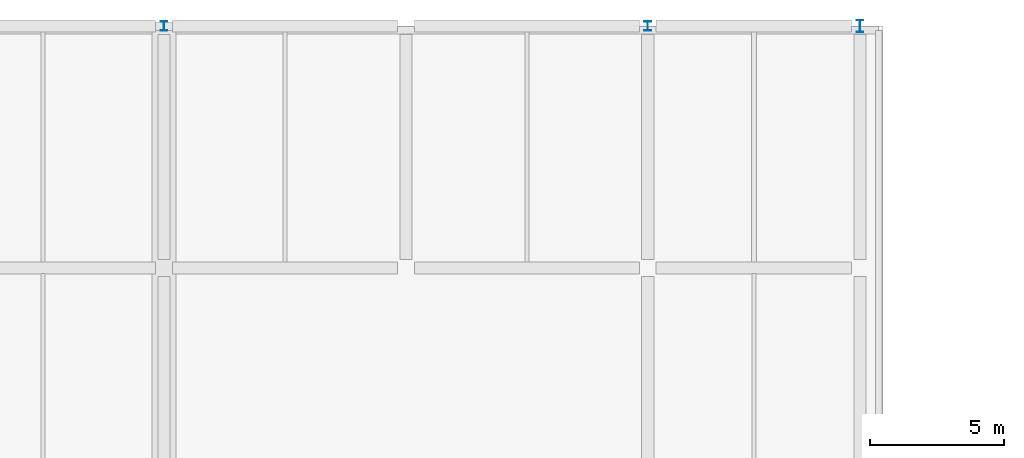
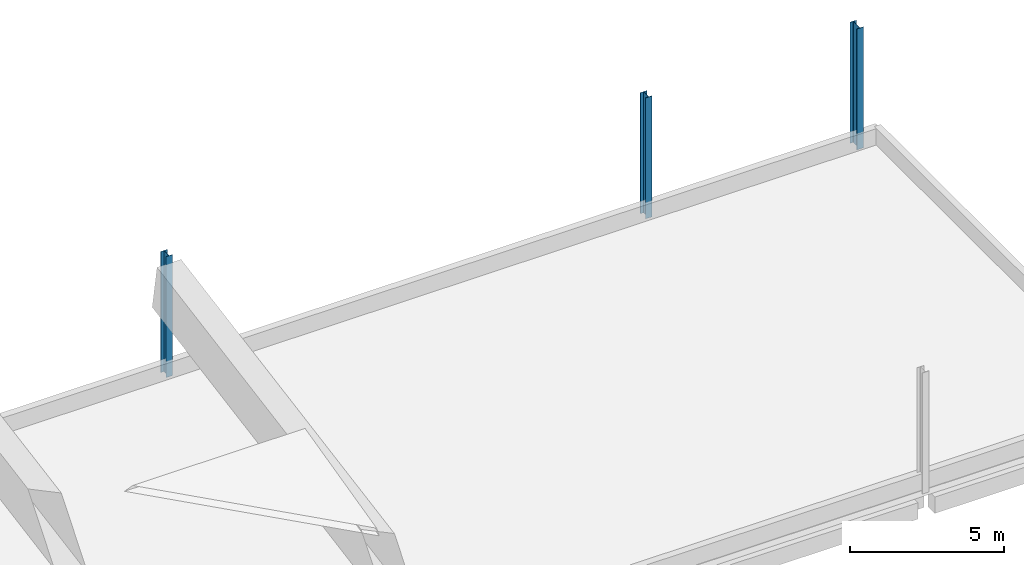
# One storey, part 18 of 66: 3 columns.
"""IFC4 building model written with IfcOpenShell, lengths in metres."""

import ifcopenshell
import ifcopenshell.guid

model = None  # the IFC model being written
_history = None  # IfcOwnerHistory: only IFC2X3 demands one
_inside = {}  # id of a spatial element -> (the spatial element, [elements in it])
_under = {}  # id of a project, library or spatial element -> (it, [spatial elements below it])
_declared = {}  # id of a project -> (the project, [libraries it declares])
_typed = {}  # id of a type object -> (the type object, [elements of that type])
_made_of = {}  # id of a material, layer set ... -> (it, [elements and type objects made of it])


def new_model(schema):
    """Start an empty IFC model of exactly this schema.

    Asked for "IFC4X3", IfcOpenShell would pick the latest addendum, in which some entities
    have other attributes; the version numbers below select the first issue.
    IFC2X3 requires an IfcOwnerHistory on every rooted entity: one is made here for all.
    """
    global model, _history
    if schema == "IFC4X3":
        model = ifcopenshell.file(schema_version=(4, 3, 0, 0))
    else:
        model = ifcopenshell.file(schema=schema)
    _inside.clear()
    _under.clear()
    _declared.clear()
    _typed.clear()
    _made_of.clear()
    _history = None
    if model.schema == "IFC2X3":
        org = make("IfcOrganization", Name="unknown")
        user = make(
            "IfcPersonAndOrganization",
            ThePerson=make("IfcPerson", FamilyName="unknown"),
            TheOrganization=org,
        )
        app = make(
            "IfcApplication",
            ApplicationDeveloper=org,
            Version="unknown",
            ApplicationFullName="unknown",
            ApplicationIdentifier="unknown",
        )
        _history = make(
            "IfcOwnerHistory",
            OwningUser=user,
            OwningApplication=app,
            ChangeAction="ADDED",
            CreationDate=0,
        )
    return model


def make(cls, **values):
    """One entity of the class cls with the attributes given. An attribute that is None is left unset."""
    return model.create_entity(
        cls, **{name: value for name, value in values.items() if value is not None}
    )


def rooted(cls, **values):
    """An entity with a GlobalId (a new one), such as an element, a storey or a relation."""
    return make(cls, GlobalId=ifcopenshell.guid.new(), OwnerHistory=_history, **values)


def si_unit(unit_type, name, prefix=None):
    """IfcSIUnit, for example si_unit("LENGTHUNIT", "METRE", prefix="MILLI")."""
    return make("IfcSIUnit", UnitType=unit_type, Prefix=prefix, Name=name)


def assignment(units):
    """IfcUnitAssignment: the units of a project."""
    return None if units is None else make("IfcUnitAssignment", Units=units)


def point(xyz):
    """IfcCartesianPoint."""
    return None if xyz is None else make("IfcCartesianPoint", Coordinates=xyz)


def direction(xyz):
    """IfcDirection."""
    return None if xyz is None else make("IfcDirection", DirectionRatios=xyz)


def frame(location, z_axis=None, x_axis=None):
    """IfcAxis2Placement3D, a coordinate frame: its origin and axes. An axis left out is left unset."""
    return make(
        "IfcAxis2Placement3D",
        Location=point(location),
        Axis=direction(z_axis),
        RefDirection=direction(x_axis),
    )


def frame_2d(location, x_axis=None):
    """IfcAxis2Placement2D, a coordinate frame in the plane: its origin and x axis."""
    return make(
        "IfcAxis2Placement2D", Location=point(location), RefDirection=direction(x_axis)
    )


def origin():
    """The frame at (0, 0, 0) with its axes left unset."""
    return frame((0.0, 0.0, 0.0))


def origin_2d():
    """The frame at (0, 0) in the plane with its x axis left unset."""
    return frame_2d((0.0, 0.0))


def place(relative_to, where):
    """IfcLocalPlacement: puts the frame where relative to a parent placement (None: the world)."""
    return make(
        "IfcLocalPlacement", PlacementRelTo=relative_to, RelativePlacement=where
    )


def context(
    kind, dimensions, precision=None, world=None, true_north=None, identifier=None
):
    """IfcGeometricRepresentationContext, for example the 3D "Model" context."""
    return make(
        "IfcGeometricRepresentationContext",
        ContextIdentifier=identifier,
        ContextType=kind,
        CoordinateSpaceDimension=dimensions,
        Precision=precision,
        WorldCoordinateSystem=world,
        TrueNorth=true_north,
    )


def subcontext(parent, identifier, kind, view, scale=None):
    """IfcGeometricRepresentationSubContext, for example "Body" below "Model"."""
    return make(
        "IfcGeometricRepresentationSubContext",
        ContextIdentifier=identifier,
        ContextType=kind,
        ParentContext=parent,
        TargetScale=scale,
        TargetView=view,
    )


def project(units=None, contexts=None):
    """IfcProject with its units and contexts."""
    return rooted(
        "IfcProject",
        Name="project",
        RepresentationContexts=contexts,
        UnitsInContext=assignment(units),
    )


def spatial(cls, under=None, at=None, **own):
    """A site, building, storey or space (cls), placed at a placement, below another one or the project."""
    s = rooted(cls, ObjectPlacement=at, **own)
    if under is not None:
        _under.setdefault(under.id(), (under, []))[1].append(s)
    return s


def profile(cls, at=None, kind="AREA", **sizes):
    """A parametric profile (cls). Its sizes go by their IFC names, for example OverallWidth=200.0."""
    return make(cls, ProfileType=kind, Position=at, **sizes)


def i_section(**sizes):
    """IfcIShapeProfileDef."""
    return profile("IfcIShapeProfileDef", **sizes)


def extrude(swept, where, along, depth):
    """IfcExtrudedAreaSolid: the profile swept, set in the frame where, extruded along a direction by depth."""
    return make(
        "IfcExtrudedAreaSolid",
        SweptArea=swept,
        Position=where,
        ExtrudedDirection=direction(along),
        Depth=depth,
    )


def shape(context_of_items, identifier, shape_type, items):
    """IfcShapeRepresentation: the items that make up one representation, for example the "Body"."""
    return make(
        "IfcShapeRepresentation",
        ContextOfItems=context_of_items,
        RepresentationIdentifier=identifier,
        RepresentationType=shape_type,
        Items=items,
    )


def material(Name=None, Category=None):
    """IfcMaterial."""
    return make("IfcMaterial", Name=Name, Category=Category)


def material_profile(
    of_material, cross_section, Name=None, Category=None, Priority=None
):
    """IfcMaterialProfile: a cross section and its material."""
    return make(
        "IfcMaterialProfile",
        Name=Name,
        Material=of_material,
        Profile=cross_section,
        Priority=Priority,
        Category=Category,
    )


def profile_set(profiles, Name=None, composite=None):
    """IfcMaterialProfileSet."""
    return make(
        "IfcMaterialProfileSet",
        Name=Name,
        MaterialProfiles=profiles,
        CompositeProfile=composite,
    )


def made_of(thing, what):
    """Note that an element or type object is made of a material, layer set ...; save() writes the relation."""
    if what is not None:
        _made_of.setdefault(what.id(), (what, []))[1].append(thing)
    return thing


def type_object(cls, material=None, **own):
    """A type object (cls), such as IfcWallType, which elements share."""
    return made_of(rooted(cls, **own), material)


def element(
    cls,
    number,
    at=None,
    inside=None,
    cuts=None,
    type_object=None,
    material=None,
    context=None,
    identifier="Body",
    shape_type=None,
    held_by="IfcProductDefinitionShape",
    body=None,
    shapes=None,
    **own,
):
    """One element of the class cls, such as IfcWall. Its Tag is "e" and its number.

    at: its placement. inside: the storey or other place that contains it. cuts: it is an
    opening in that element (IfcRelVoidsElement). A single representation is given by context,
    identifier, shape_type and body (its items); several are given by shapes. held_by: the class
    of the entity that holds the representations. save() writes the other relations.
    """
    e = rooted(cls, Tag="e%d" % number, ObjectPlacement=at, **own)
    if body is not None:
        shapes = [shape(context, identifier, shape_type, body)]
    if shapes is not None:
        e.Representation = make(held_by, Representations=shapes)
    if inside is not None:
        _inside.setdefault(inside.id(), (inside, []))[1].append(e)
    if cuts is not None:
        rooted(
            "IfcRelVoidsElement", RelatingBuildingElement=cuts, RelatedOpeningElement=e
        )
    if type_object is not None:
        _typed.setdefault(type_object.id(), (type_object, []))[1].append(e)
    return made_of(e, material)


def aggregate(whole, parts):
    """IfcRelAggregates: a whole, such as a stair, and the parts it consists of."""
    return rooted("IfcRelAggregates", RelatingObject=whole, RelatedObjects=parts)


def save(model, path):
    """Write the relations noted so far, then the file.

    IfcRelAggregates (storeys below a building ...), IfcRelContainedInSpatialStructure (elements
    in a storey), IfcRelDefinesByType, IfcRelAssociatesMaterial and IfcRelDeclares: one each for
    every whole, place, type object, material and project.
    """
    for whole, parts in _under.values():
        aggregate(whole, parts)
    for where, things in _inside.values():
        rooted(
            "IfcRelContainedInSpatialStructure",
            RelatedElements=things,
            RelatingStructure=where,
        )
    for kind, things in _typed.values():
        rooted("IfcRelDefinesByType", RelatedObjects=things, RelatingType=kind)
    for what, things in _made_of.values():
        rooted("IfcRelAssociatesMaterial", RelatedObjects=things, RelatingMaterial=what)
    for by, libraries in _declared.values():
        rooted("IfcRelDeclares", RelatingContext=by, RelatedDefinitions=libraries)
    model.write(path)


model = new_model("IFC4")

# Units and contexts
model_context = context("Model", 3, precision=1e-05, world=origin(), true_north=direction((0.0, 1.0)))
body_context = subcontext(model_context, "Body", "Model", "MODEL_VIEW")
ifc_project = project(units=[si_unit("LENGTHUNIT", "METRE"), si_unit("AREAUNIT", "SQUARE_METRE"), si_unit("VOLUMEUNIT", "CUBIC_METRE"), si_unit("PLANEANGLEUNIT", "RADIAN"), si_unit("MASSUNIT", "GRAM", prefix="KILO"), si_unit("THERMODYNAMICTEMPERATUREUNIT", "KELVIN"), si_unit("POWERUNIT", "WATT")], contexts=[model_context])

# Site, building, storey
site_placement = place(None, origin())
site = spatial("IfcSite", under=ifc_project, at=site_placement, CompositionType="ELEMENT")
building_placement = place(site_placement, origin())
building = spatial("IfcBuilding", under=site, at=building_placement, Name="Sindhuravela Promenade Stadium", CompositionType="ELEMENT")
storey_placement = place(building_placement, frame((0.0, 0.0, 19.199951171875)))
storey = spatial("IfcBuildingStorey", under=building, at=storey_placement, Name="L04", CompositionType="ELEMENT", Elevation=19.199951171875)

# Columns
ifc_material = material(Name="Steel E350 (IS 2062 E350BR)", Category="steel")
ifc_material_profile_1 = material_profile(ifc_material, i_section(OverallWidth=0.25, OverallDepth=0.35009765625, WebThickness=0.010009765625, FlangeThickness=0.01171875, FilletRadius=0.011962890625, at=origin_2d()), Name="ISHB 350")
ifc_profile_set_1 = profile_set([ifc_material_profile_1], Name="Steel E350 (IS 2062 E350BR)")
column_type_1 = type_object("IfcColumnType", Name="ST-CL-HB350", PredefinedType="COLUMN", material=ifc_profile_set_1)
for number, where, z_axis, x_axis, name in (
    (1, (135.0, 153.0, 0.0), (0.0, 0.0, 1.0), (1.0, 0.0, 0.0), "Column SC02 NORTH L04"),
    (2, (153.0, 153.0, 0.0), (0.0, 0.0, 1.0), (1.0, 0.0, 0.0), "Column SC02 NORTH L04"),
):
    element("IfcColumn", number, at=place(storey_placement, frame(where, z_axis=z_axis, x_axis=x_axis)), inside=storey, type_object=column_type_1, Name=name, PredefinedType="COLUMN", context=body_context, shape_type="SweptSolid", body=[
        extrude(i_section(OverallWidth=0.25, OverallDepth=0.35009765625, WebThickness=0.010009765625, FlangeThickness=0.01171875, FilletRadius=0.011962890625, at=origin_2d()), origin(), (0.0, 0.0, 1.0), 4.800048828125),
    ])
ifc_material_profile_2 = material_profile(ifc_material, i_section(OverallWidth=0.25, OverallDepth=0.449951171875, WebThickness=0.01123046875, FlangeThickness=0.013671875, FilletRadius=0.014892578125, at=origin_2d()), Name="ISHB 450")
ifc_profile_set_2 = profile_set([ifc_material_profile_2], Name="Steel E350 (IS 2062 E350BR)")
column_type_2 = type_object("IfcColumnType", Name="ST-CL-HB450", PredefinedType="COLUMN", material=ifc_profile_set_2)
column_placement = place(storey_placement, frame((160.89990234375, 153.0, 0.0), z_axis=(0.0, 0.0, 1.0), x_axis=(1.0, 0.0, 0.0)))
element("IfcColumn", 3, at=column_placement, inside=storey, type_object=column_type_2, Name="Column SC03 NORTH L04", PredefinedType="COLUMN", context=body_context, shape_type="SweptSolid", body=[
    extrude(i_section(OverallWidth=0.25, OverallDepth=0.449951171875, WebThickness=0.01123046875, FlangeThickness=0.013671875, FilletRadius=0.014892578125, at=origin_2d()), origin(), (0.0, 0.0, 1.0), 4.800048828125),
])

save(model, "model.ifc")
